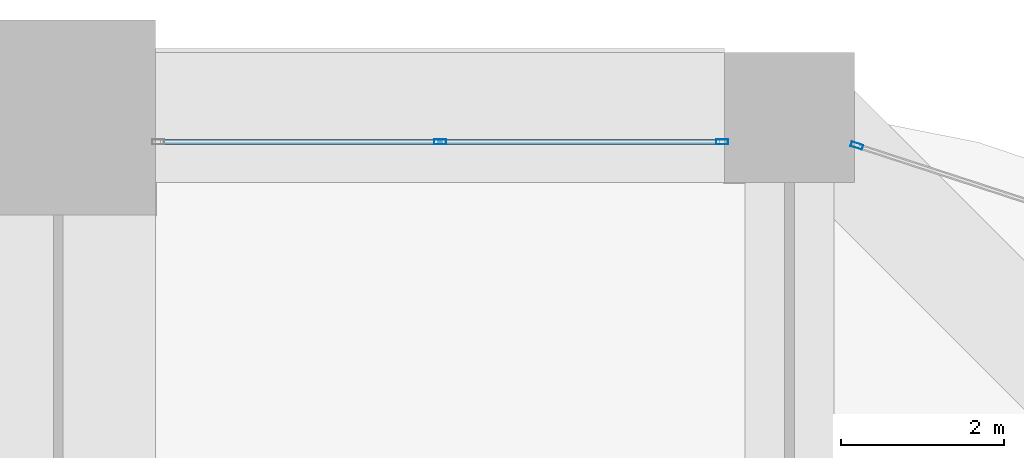
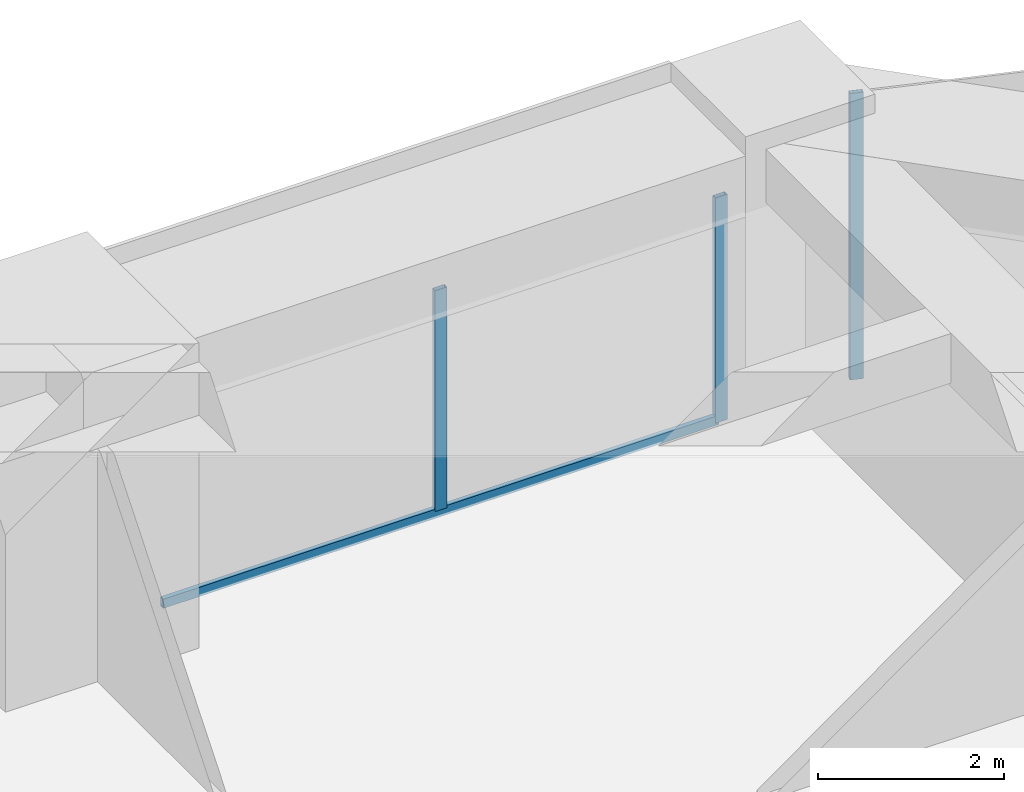
# One storey, part 35 of 43: 4 members, 2 elements without a shape of their own.
"""IFC4 building model written with IfcOpenShell, lengths in metres."""

from ifc_helpers import new_model, si_unit, direction, frame, origin, origin_2d, place, context, subcontext, project, spatial, hollow_rectangle, extrude, material, material_profile, profile_set, type_object, element, aggregate, save


model = new_model("IFC4")

# Units and contexts
model_context = context("Model", 3, precision=1e-05, world=origin(), true_north=direction((0.0, 1.0)))
body_context = subcontext(model_context, "Body", "Model", "MODEL_VIEW")
ifc_project = project(units=[si_unit("LENGTHUNIT", "METRE"), si_unit("AREAUNIT", "SQUARE_METRE"), si_unit("VOLUMEUNIT", "CUBIC_METRE"), si_unit("PLANEANGLEUNIT", "RADIAN"), si_unit("MASSUNIT", "GRAM", prefix="KILO")], contexts=[model_context])

# Site, building, storey
site_placement = place(None, origin())
site = spatial("IfcSite", under=ifc_project, at=site_placement, CompositionType="ELEMENT")
building_placement = place(site_placement, origin())
building = spatial("IfcBuilding", under=site, at=building_placement, Name="Zorevar Civic Tower", CompositionType="ELEMENT")
storey_placement = place(building_placement, frame((0.0, 0.0, 145.0)))
storey = spatial("IfcBuildingStorey", under=building, at=storey_placement, Name="L35", CompositionType="ELEMENT", Elevation=145.0)

# Curtain wall, members
ifc_material_1 = material(Name="Dark grey solar-control glass in black aluminium frame", Category="aluminium")
curtain_wall_type = type_object("IfcCurtainWallType", Name="Curtain wall CW3 mid zone", PredefinedType="NOTDEFINED", material=ifc_material_1)
curtain_wall_1_placement = place(storey_placement, origin())
curtain_wall_1 = element("IfcCurtainWall", 1, at=curtain_wall_1_placement, inside=storey, type_object=curtain_wall_type, Name="CW3 L35", PredefinedType="NOTDEFINED")
ifc_material_2 = material(Name="Aluminium, black anodised", Category="aluminium")
ifc_material_profile_1 = material_profile(ifc_material_2, hollow_rectangle(XDim=0.06005859375, YDim=0.14990234375, WallThickness=0.00390625, at=origin_2d()), Name="AL 150x60x4")
ifc_profile_set_1 = profile_set([ifc_material_profile_1], Name="Aluminium, black anodised")
member_type_1 = type_object("IfcMemberType", Name="CW3 mullion AL 150x60x4", PredefinedType="MULLION", material=ifc_profile_set_1)
member_1_placement = place(storey_placement, frame((49.699951171875, 44.699951171875, 0.06005859375), z_axis=(0.0, 0.0, 1.0), x_axis=(0.0, 1.0, 0.0)))
member_1 = element("IfcMember", 2, at=member_1_placement, type_object=member_type_1, Name="CW3 mullion 2", PredefinedType="MULLION", context=body_context, shape_type="SweptSolid", body=[
    extrude(hollow_rectangle(XDim=0.06005859375, YDim=0.14990234375, WallThickness=0.00390625, at=origin_2d()), origin(), (0.0, 0.0, 1.0), 2.889892578125),
])
member_2_placement = place(storey_placement, frame((53.169921875, 44.699951171875, 0.0), z_axis=(0.0, 0.0, 1.0), x_axis=(0.0, 1.0, 0.0)))
member_2 = element("IfcMember", 3, at=member_2_placement, type_object=member_type_1, Name="CW3 mullion 3", PredefinedType="MULLION", context=body_context, shape_type="SweptSolid", body=[
    extrude(hollow_rectangle(XDim=0.06005859375, YDim=0.14990234375, WallThickness=0.00390625, at=origin_2d()), origin(), (0.0, 0.0, 1.0), 2.949951171875),
])

# Curtain wall, member
curtain_wall_2_placement = place(storey_placement, origin())
curtain_wall_2 = element("IfcCurtainWall", 4, at=curtain_wall_2_placement, inside=storey, type_object=curtain_wall_type, Name="CW3 L35", PredefinedType="NOTDEFINED")
member_3_placement = place(storey_placement, frame((54.82861328125, 44.65380859375, 0.0), z_axis=(0.0, 0.0, 1.0), x_axis=(-0.310263169163, -0.950650706548, 0.0)))
member_3 = element("IfcMember", 5, at=member_3_placement, type_object=member_type_1, Name="CW3 mullion 2", PredefinedType="MULLION", context=body_context, shape_type="SweptSolid", body=[
    extrude(hollow_rectangle(XDim=0.06005859375, YDim=0.14990234375, WallThickness=0.00390625, at=origin_2d()), origin(), (0.0, 0.0, 1.0), 3.75),
])
aggregate(curtain_wall_2, [member_3])

# Member
ifc_material_3 = material(Name="Aluminium, black anodised", Category="aluminium")
ifc_material_profile_2 = material_profile(ifc_material_3, hollow_rectangle(XDim=0.06005859375, YDim=0.1201171875, WallThickness=0.0029296875, at=origin_2d()), Name="AL 120x60x3")
ifc_profile_set_2 = profile_set([ifc_material_profile_2], Name="Aluminium, black anodised")
member_type_2 = type_object("IfcMemberType", Name="CW3 transom AL 120x60x3", PredefinedType="USERDEFINED", material=ifc_profile_set_2)
member_4_placement = place(storey_placement, frame((46.260009765625, 44.699951171875, 0.030029296875), z_axis=(1.0, 0.0, 0.0), x_axis=(0.0, 1.0, 0.0)))
member_4 = element("IfcMember", 6, at=member_4_placement, type_object=member_type_2, Name="CW3 sill transom", ObjectType="TRANSOM", PredefinedType="USERDEFINED", context=body_context, shape_type="SweptSolid", body=[
    extrude(hollow_rectangle(XDim=0.06005859375, YDim=0.1201171875, WallThickness=0.0029296875, at=origin_2d()), origin(), (0.0, 0.0, 1.0), 6.8798828125),
])

aggregate(curtain_wall_1, [member_1, member_2, member_4])

save(model, "model.ifc")
